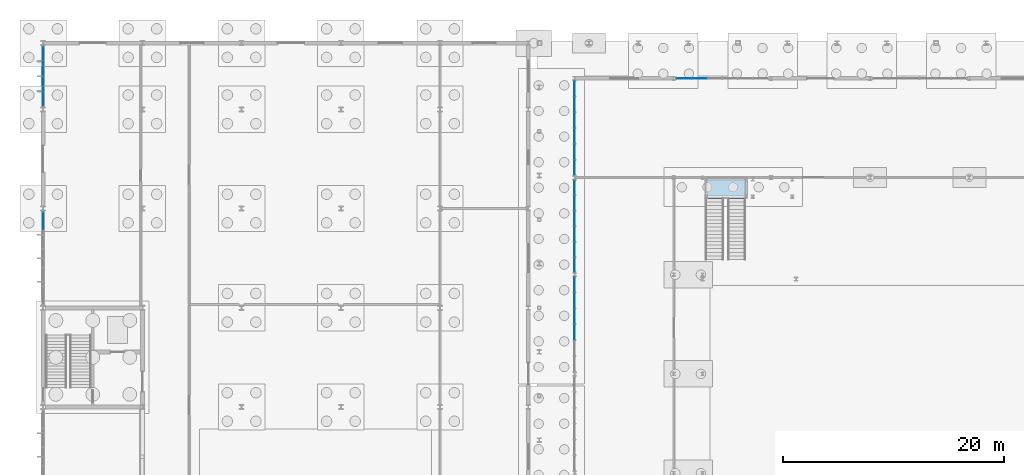
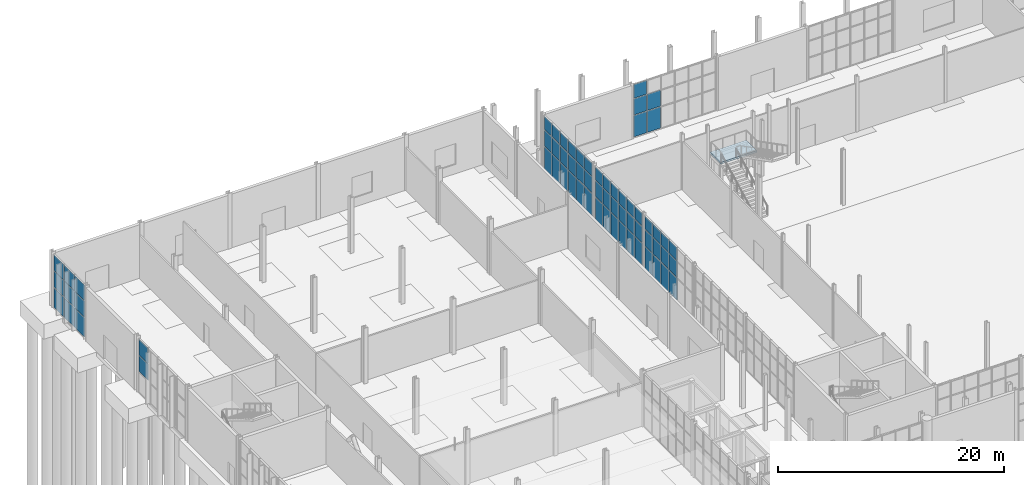
# One storey, part 82 of 131: 64 plates, 1 slab, 7 elements without a shape of their own.
"""IFC4 building model written with IfcOpenShell, lengths in metres."""

from ifc_helpers import new_model, si_unit, direction, frame, origin, origin_2d, place, context, subcontext, project, spatial, polyline, rectangle, outline, extrude, material, layer, layer_set, type_object, element, aggregate, save


model = new_model("IFC4")

# Units and contexts
model_context = context("Model", 3, precision=1e-05, world=origin(), true_north=direction((0.0, 1.0)))
body_context = subcontext(model_context, "Body", "Model", "MODEL_VIEW")
ifc_project = project(units=[si_unit("LENGTHUNIT", "METRE"), si_unit("AREAUNIT", "SQUARE_METRE"), si_unit("VOLUMEUNIT", "CUBIC_METRE"), si_unit("PLANEANGLEUNIT", "RADIAN"), si_unit("MASSUNIT", "GRAM", prefix="KILO")], contexts=[model_context])

# Site, building, storey
site_placement = place(None, origin())
site = spatial("IfcSite", under=ifc_project, at=site_placement, CompositionType="ELEMENT")
building_placement = place(site_placement, origin())
building = spatial("IfcBuilding", under=site, at=building_placement, Name="Cazmaro Siding Exhibition Halls", CompositionType="ELEMENT")
storey_placement = place(building_placement, origin())
storey = spatial("IfcBuildingStorey", under=building, at=storey_placement, Name="L00", CompositionType="ELEMENT", Elevation=0.0)

# Curtain wall, plates
ifc_material_1 = material(Name="Anodized Bronze Aluminum and Solar-Control Low-E Glazing", Category="aluminium")
ifc_layer_1 = layer(ifc_material_1, 0.179931640625)
ifc_layer_set_1 = layer_set([ifc_layer_1], Name="Anodized Bronze Aluminum and Solar-Control Low-E Glazing")
curtain_wall_type_1 = type_object("IfcCurtainWallType", Name="CWS-01", PredefinedType="USERDEFINED", material=ifc_layer_set_1)
curtain_wall_1_placement = place(storey_placement, origin())
curtain_wall_1 = element("IfcCurtainWall", 1, at=curtain_wall_1_placement, inside=storey, type_object=curtain_wall_type_1, Name="Glazed Curtain Wall CWS-01 CW-006", ObjectType="GLAZED CURTAIN WALL", PredefinedType="USERDEFINED")
ifc_material_2 = material(Name="Solar-Control Low-E Double Insulating Glass", Category="glass")
ifc_layer_2 = layer(ifc_material_2, 0.02392578125)
ifc_layer_set_2 = layer_set([ifc_layer_2], Name="Solar-Control Low-E Double Insulating Glass")
plate_type_1 = type_object("IfcPlateType", Name="CWP-01", PredefinedType="CURTAIN_PANEL", material=ifc_layer_set_2)
plate_1_placement = place(storey_placement, frame((59.49853515625, 120.800048828125, 0.06005859375), z_axis=(0.0, 0.0, 1.0), x_axis=(-1.0, 0.0, 0.0)))
plate_1 = element("IfcPlate", 2, at=plate_1_placement, type_object=plate_type_1, Name="CWS-01 panel 5.1", PredefinedType="CURTAIN_PANEL", context=body_context, shape_type="SweptSolid", body=[
    extrude(rectangle(XDim=1.341064453125, YDim=0.02392578125, at=origin_2d()), origin(), (0.0, 0.0, 1.0), 2.31005859375),
])
plate_2_placement = place(storey_placement, frame((59.49853515625, 120.800048828125, 2.43017578125), z_axis=(0.0, 0.0, 1.0), x_axis=(-1.0, 0.0, 0.0)))
plate_2 = element("IfcPlate", 3, at=plate_2_placement, type_object=plate_type_1, Name="CWS-01 panel 5.2", PredefinedType="CURTAIN_PANEL", context=body_context, shape_type="SweptSolid", body=[
    extrude(rectangle(XDim=1.341064453125, YDim=0.02392578125, at=origin_2d()), origin(), (0.0, 0.0, 1.0), 1.739990234375),
])
plate_3_placement = place(storey_placement, frame((58.112548828125, 120.800048828125, 0.06005859375), z_axis=(0.0, 0.0, 1.0), x_axis=(-1.0, 0.0, 0.0)))
plate_3 = element("IfcPlate", 4, at=plate_3_placement, type_object=plate_type_1, Name="CWS-01 panel 6.1", PredefinedType="CURTAIN_PANEL", context=body_context, shape_type="SweptSolid", body=[
    extrude(rectangle(XDim=1.31103515625, YDim=0.02392578125, at=origin_2d()), origin(), (0.0, 0.0, 1.0), 2.31005859375),
])
plate_4_placement = place(storey_placement, frame((58.112548828125, 120.800048828125, 2.43017578125), z_axis=(0.0, 0.0, 1.0), x_axis=(-1.0, 0.0, 0.0)))
plate_4 = element("IfcPlate", 5, at=plate_4_placement, type_object=plate_type_1, Name="CWS-01 panel 6.2", PredefinedType="CURTAIN_PANEL", context=body_context, shape_type="SweptSolid", body=[
    extrude(rectangle(XDim=1.31103515625, YDim=0.02392578125, at=origin_2d()), origin(), (0.0, 0.0, 1.0), 1.739990234375),
])
plate_5_placement = place(storey_placement, frame((58.112548828125, 120.800048828125, 4.22998046875), z_axis=(0.0, 0.0, 1.0), x_axis=(-1.0, 0.0, 0.0)))
plate_5 = element("IfcPlate", 6, at=plate_5_placement, type_object=plate_type_1, Name="CWS-01 panel 6.3", PredefinedType="CURTAIN_PANEL", context=body_context, shape_type="SweptSolid", body=[
    extrude(rectangle(XDim=1.31103515625, YDim=0.02392578125, at=origin_2d()), origin(), (0.0, 0.0, 1.0), 1.489990234375),
])
aggregate(curtain_wall_1, [plate_1, plate_2, plate_3, plate_4, plate_5])

ifc_material_3 = material(Name="Anodized Bronze Aluminum and Solar-Control Low-E Glazing", Category="aluminium")
ifc_layer_3 = layer(ifc_material_3, 0.199951171875)
ifc_layer_set_3 = layer_set([ifc_layer_3], Name="Anodized Bronze Aluminum and Solar-Control Low-E Glazing")
curtain_wall_type_2 = type_object("IfcCurtainWallType", Name="CWS-02", PredefinedType="USERDEFINED", material=ifc_layer_set_3)
curtain_wall_2_placement = place(storey_placement, origin())
curtain_wall_2 = element("IfcCurtainWall", 7, at=curtain_wall_2_placement, inside=storey, type_object=curtain_wall_type_2, Name="Glazed Curtain Wall CWS-02 CW-228", ObjectType="GLAZED CURTAIN WALL", PredefinedType="USERDEFINED")
ifc_material_4 = material(Name="Solar-Control Low-E Double Insulating Glass", Category="glass")
ifc_layer_4 = layer(ifc_material_4, 0.035888671875)
ifc_layer_set_4 = layer_set([ifc_layer_4], Name="Solar-Control Low-E Double Insulating Glass")
plate_type_2 = type_object("IfcPlateType", Name="CWP-02", PredefinedType="CURTAIN_PANEL", material=ifc_layer_set_4)
plate_6_placement = place(storey_placement, frame((0.0, 107.88134765625, 2.232421875), z_axis=(0.0, 0.0, 1.0), x_axis=(0.0, -1.0, 0.0)))
plate_6 = element("IfcPlate", 8, at=plate_6_placement, type_object=plate_type_2, Name="CWS-02 panel 1.2", PredefinedType="CURTAIN_PANEL", context=body_context, shape_type="SweptSolid", body=[
    extrude(rectangle(XDim=1.601318359375, YDim=0.035888671875, at=origin_2d()), origin(), (0.0, 0.0, 1.0), 1.735107421875),
])
plate_7_placement = place(storey_placement, frame((0.0, 107.88134765625, 4.032470703125), z_axis=(0.0, 0.0, 1.0), x_axis=(0.0, -1.0, 0.0)))
plate_7 = element("IfcPlate", 9, at=plate_7_placement, type_object=plate_type_2, Name="CWS-02 panel 1.3", PredefinedType="CURTAIN_PANEL", context=body_context, shape_type="SweptSolid", body=[
    extrude(rectangle(XDim=1.601318359375, YDim=0.035888671875, at=origin_2d()), origin(), (0.0, 0.0, 1.0), 1.6826171875),
])
aggregate(curtain_wall_2, [plate_6, plate_7])

curtain_wall_3_placement = place(storey_placement, origin())
curtain_wall_3 = element("IfcCurtainWall", 10, at=curtain_wall_3_placement, inside=storey, type_object=curtain_wall_type_2, Name="Glazed Curtain Wall CWS-02 CW-229", ObjectType="GLAZED CURTAIN WALL", PredefinedType="USERDEFINED")
plate_8_placement = place(storey_placement, frame((0.0, 122.815185546875, 0.06494140625), z_axis=(0.0, 0.0, 1.0), x_axis=(0.0, -1.0, 0.0)))
plate_8 = element("IfcPlate", 11, at=plate_8_placement, type_object=plate_type_2, Name="CWS-02 panel 1.1", PredefinedType="CURTAIN_PANEL", context=body_context, shape_type="SweptSolid", body=[
    extrude(rectangle(XDim=1.73388671875, YDim=0.035888671875, at=origin_2d()), origin(), (0.0, 0.0, 1.0), 2.1025390625),
])
plate_9_placement = place(storey_placement, frame((0.0, 122.815185546875, 2.232421875), z_axis=(0.0, 0.0, 1.0), x_axis=(0.0, -1.0, 0.0)))
plate_9 = element("IfcPlate", 12, at=plate_9_placement, type_object=plate_type_2, Name="CWS-02 panel 1.2", PredefinedType="CURTAIN_PANEL", context=body_context, shape_type="SweptSolid", body=[
    extrude(rectangle(XDim=1.73388671875, YDim=0.035888671875, at=origin_2d()), origin(), (0.0, 0.0, 1.0), 1.735107421875),
])
plate_10_placement = place(storey_placement, frame((0.0, 122.815185546875, 4.032470703125), z_axis=(0.0, 0.0, 1.0), x_axis=(0.0, -1.0, 0.0)))
plate_10 = element("IfcPlate", 13, at=plate_10_placement, type_object=plate_type_2, Name="CWS-02 panel 1.3", PredefinedType="CURTAIN_PANEL", context=body_context, shape_type="SweptSolid", body=[
    extrude(rectangle(XDim=1.73388671875, YDim=0.035888671875, at=origin_2d()), origin(), (0.0, 0.0, 1.0), 1.6826171875),
])
plate_11_placement = place(storey_placement, frame((0.0, 121.0, 0.06494140625), z_axis=(0.0, 0.0, 1.0), x_axis=(0.0, -1.0, 0.0)))
plate_11 = element("IfcPlate", 14, at=plate_11_placement, type_object=plate_type_2, Name="CWS-02 panel 2.1", PredefinedType="CURTAIN_PANEL", context=body_context, shape_type="SweptSolid", body=[
    extrude(rectangle(XDim=1.766357421875, YDim=0.035888671875, at=origin_2d()), origin(), (0.0, 0.0, 1.0), 2.1025390625),
])
plate_12_placement = place(storey_placement, frame((0.0, 121.0, 2.232421875), z_axis=(0.0, 0.0, 1.0), x_axis=(0.0, -1.0, 0.0)))
plate_12 = element("IfcPlate", 15, at=plate_12_placement, type_object=plate_type_2, Name="CWS-02 panel 2.2", PredefinedType="CURTAIN_PANEL", context=body_context, shape_type="SweptSolid", body=[
    extrude(rectangle(XDim=1.766357421875, YDim=0.035888671875, at=origin_2d()), origin(), (0.0, 0.0, 1.0), 1.735107421875),
])
plate_13_placement = place(storey_placement, frame((0.0, 121.0, 4.032470703125), z_axis=(0.0, 0.0, 1.0), x_axis=(0.0, -1.0, 0.0)))
plate_13 = element("IfcPlate", 16, at=plate_13_placement, type_object=plate_type_2, Name="CWS-02 panel 2.3", PredefinedType="CURTAIN_PANEL", context=body_context, shape_type="SweptSolid", body=[
    extrude(rectangle(XDim=1.766357421875, YDim=0.035888671875, at=origin_2d()), origin(), (0.0, 0.0, 1.0), 1.6826171875),
])
plate_14_placement = place(storey_placement, frame((0.0, 119.184814453125, 0.06494140625), z_axis=(0.0, 0.0, 1.0), x_axis=(0.0, -1.0, 0.0)))
plate_14 = element("IfcPlate", 17, at=plate_14_placement, type_object=plate_type_2, Name="CWS-02 panel 3.1", PredefinedType="CURTAIN_PANEL", context=body_context, shape_type="SweptSolid", body=[
    extrude(rectangle(XDim=1.73388671875, YDim=0.035888671875, at=origin_2d()), origin(), (0.0, 0.0, 1.0), 2.1025390625),
])
plate_15_placement = place(storey_placement, frame((0.0, 119.184814453125, 2.232421875), z_axis=(0.0, 0.0, 1.0), x_axis=(0.0, -1.0, 0.0)))
plate_15 = element("IfcPlate", 18, at=plate_15_placement, type_object=plate_type_2, Name="CWS-02 panel 3.2", PredefinedType="CURTAIN_PANEL", context=body_context, shape_type="SweptSolid", body=[
    extrude(rectangle(XDim=1.73388671875, YDim=0.035888671875, at=origin_2d()), origin(), (0.0, 0.0, 1.0), 1.735107421875),
])
plate_16_placement = place(storey_placement, frame((0.0, 119.184814453125, 4.032470703125), z_axis=(0.0, 0.0, 1.0), x_axis=(0.0, -1.0, 0.0)))
plate_16 = element("IfcPlate", 19, at=plate_16_placement, type_object=plate_type_2, Name="CWS-02 panel 3.3", PredefinedType="CURTAIN_PANEL", context=body_context, shape_type="SweptSolid", body=[
    extrude(rectangle(XDim=1.73388671875, YDim=0.035888671875, at=origin_2d()), origin(), (0.0, 0.0, 1.0), 1.6826171875),
])
aggregate(curtain_wall_3, [plate_8, plate_9, plate_10, plate_11, plate_12, plate_13, plate_14, plate_15, plate_16])

ifc_material_5 = material(Name="Anodized Bronze Aluminum and Solar-Control Low-E Glazing", Category="aluminium")
ifc_layer_5 = layer(ifc_material_5, 0.219970703125)
ifc_layer_set_5 = layer_set([ifc_layer_5], Name="Anodized Bronze Aluminum and Solar-Control Low-E Glazing")
curtain_wall_type_3 = type_object("IfcCurtainWallType", Name="CWS-03", PredefinedType="USERDEFINED", material=ifc_layer_set_5)
curtain_wall_4_placement = place(storey_placement, origin())
curtain_wall_4 = element("IfcCurtainWall", 20, at=curtain_wall_4_placement, inside=storey, type_object=curtain_wall_type_3, Name="Glazed Curtain Wall CWS-03 CW-056", ObjectType="GLAZED CURTAIN WALL", PredefinedType="USERDEFINED")
ifc_material_6 = material(Name="Solar-Control Low-E Double Insulating Glass", Category="glass")
ifc_layer_6 = layer(ifc_material_6, 0.0458984375)
ifc_layer_set_6 = layer_set([ifc_layer_6], Name="Solar-Control Low-E Double Insulating Glass")
plate_type_3 = type_object("IfcPlateType", Name="CWP-03", PredefinedType="CURTAIN_PANEL", material=ifc_layer_set_6)
plate_17_placement = place(storey_placement, frame((48.199951171875, 102.0849609375, 0.070068359375), z_axis=(0.0, 0.0, 1.0), x_axis=(0.0, -1.0, 0.0)))
plate_17 = element("IfcPlate", 21, at=plate_17_placement, type_object=plate_type_3, Name="CWS-03 panel 1.1", PredefinedType="CURTAIN_PANEL", context=body_context, shape_type="SweptSolid", body=[
    extrude(rectangle(XDim=1.3359375, YDim=0.0458984375, at=origin_2d()), origin(), (0.0, 0.0, 1.0), 2.39501953125),
])
plate_18_placement = place(storey_placement, frame((48.199951171875, 102.0849609375, 2.534912109375), z_axis=(0.0, 0.0, 1.0), x_axis=(0.0, -1.0, 0.0)))
plate_18 = element("IfcPlate", 22, at=plate_18_placement, type_object=plate_type_3, Name="CWS-03 panel 1.2", PredefinedType="CURTAIN_PANEL", context=body_context, shape_type="SweptSolid", body=[
    extrude(rectangle(XDim=1.3359375, YDim=0.0458984375, at=origin_2d()), origin(), (0.0, 0.0, 1.0), 1.72998046875),
])
plate_19_placement = place(storey_placement, frame((48.199951171875, 102.0849609375, 4.3349609375), z_axis=(0.0, 0.0, 1.0), x_axis=(0.0, -1.0, 0.0)))
plate_19 = element("IfcPlate", 23, at=plate_19_placement, type_object=plate_type_3, Name="CWS-03 panel 1.3", PredefinedType="CURTAIN_PANEL", context=body_context, shape_type="SweptSolid", body=[
    extrude(rectangle(XDim=1.3359375, YDim=0.0458984375, at=origin_2d()), origin(), (0.0, 0.0, 1.0), 1.375),
])
plate_20_placement = place(storey_placement, frame((48.199951171875, 100.66162109375, 0.070068359375), z_axis=(0.0, 0.0, 1.0), x_axis=(0.0, -1.0, 0.0)))
plate_20 = element("IfcPlate", 24, at=plate_20_placement, type_object=plate_type_3, Name="CWS-03 panel 2.1", PredefinedType="CURTAIN_PANEL", context=body_context, shape_type="SweptSolid", body=[
    extrude(rectangle(XDim=1.37109375, YDim=0.0458984375, at=origin_2d()), origin(), (0.0, 0.0, 1.0), 2.39501953125),
])
plate_21_placement = place(storey_placement, frame((48.199951171875, 100.66162109375, 2.534912109375), z_axis=(0.0, 0.0, 1.0), x_axis=(0.0, -1.0, 0.0)))
plate_21 = element("IfcPlate", 25, at=plate_21_placement, type_object=plate_type_3, Name="CWS-03 panel 2.2", PredefinedType="CURTAIN_PANEL", context=body_context, shape_type="SweptSolid", body=[
    extrude(rectangle(XDim=1.37109375, YDim=0.0458984375, at=origin_2d()), origin(), (0.0, 0.0, 1.0), 1.72998046875),
])
plate_22_placement = place(storey_placement, frame((48.199951171875, 100.66162109375, 4.3349609375), z_axis=(0.0, 0.0, 1.0), x_axis=(0.0, -1.0, 0.0)))
plate_22 = element("IfcPlate", 26, at=plate_22_placement, type_object=plate_type_3, Name="CWS-03 panel 2.3", PredefinedType="CURTAIN_PANEL", context=body_context, shape_type="SweptSolid", body=[
    extrude(rectangle(XDim=1.37109375, YDim=0.0458984375, at=origin_2d()), origin(), (0.0, 0.0, 1.0), 1.375),
])
plate_23_placement = place(storey_placement, frame((48.199951171875, 99.220458984375, 0.070068359375), z_axis=(0.0, 0.0, 1.0), x_axis=(0.0, -1.0, 0.0)))
plate_23 = element("IfcPlate", 27, at=plate_23_placement, type_object=plate_type_3, Name="CWS-03 panel 3.1", PredefinedType="CURTAIN_PANEL", context=body_context, shape_type="SweptSolid", body=[
    extrude(rectangle(XDim=1.37109375, YDim=0.0458984375, at=origin_2d()), origin(), (0.0, 0.0, 1.0), 2.39501953125),
])
plate_24_placement = place(storey_placement, frame((48.199951171875, 99.220458984375, 2.534912109375), z_axis=(0.0, 0.0, 1.0), x_axis=(0.0, -1.0, 0.0)))
plate_24 = element("IfcPlate", 28, at=plate_24_placement, type_object=plate_type_3, Name="CWS-03 panel 3.2", PredefinedType="CURTAIN_PANEL", context=body_context, shape_type="SweptSolid", body=[
    extrude(rectangle(XDim=1.37109375, YDim=0.0458984375, at=origin_2d()), origin(), (0.0, 0.0, 1.0), 1.72998046875),
])
plate_25_placement = place(storey_placement, frame((48.199951171875, 99.220458984375, 4.3349609375), z_axis=(0.0, 0.0, 1.0), x_axis=(0.0, -1.0, 0.0)))
plate_25 = element("IfcPlate", 29, at=plate_25_placement, type_object=plate_type_3, Name="CWS-03 panel 3.3", PredefinedType="CURTAIN_PANEL", context=body_context, shape_type="SweptSolid", body=[
    extrude(rectangle(XDim=1.37109375, YDim=0.0458984375, at=origin_2d()), origin(), (0.0, 0.0, 1.0), 1.375),
])
plate_26_placement = place(storey_placement, frame((48.199951171875, 97.779541015625, 0.070068359375), z_axis=(0.0, 0.0, 1.0), x_axis=(0.0, -1.0, 0.0)))
plate_26 = element("IfcPlate", 30, at=plate_26_placement, type_object=plate_type_3, Name="CWS-03 panel 4.1", PredefinedType="CURTAIN_PANEL", context=body_context, shape_type="SweptSolid", body=[
    extrude(rectangle(XDim=1.37109375, YDim=0.0458984375, at=origin_2d()), origin(), (0.0, 0.0, 1.0), 2.39501953125),
])
plate_27_placement = place(storey_placement, frame((48.199951171875, 97.779541015625, 2.534912109375), z_axis=(0.0, 0.0, 1.0), x_axis=(0.0, -1.0, 0.0)))
plate_27 = element("IfcPlate", 31, at=plate_27_placement, type_object=plate_type_3, Name="CWS-03 panel 4.2", PredefinedType="CURTAIN_PANEL", context=body_context, shape_type="SweptSolid", body=[
    extrude(rectangle(XDim=1.37109375, YDim=0.0458984375, at=origin_2d()), origin(), (0.0, 0.0, 1.0), 1.72998046875),
])
plate_28_placement = place(storey_placement, frame((48.199951171875, 97.779541015625, 4.3349609375), z_axis=(0.0, 0.0, 1.0), x_axis=(0.0, -1.0, 0.0)))
plate_28 = element("IfcPlate", 32, at=plate_28_placement, type_object=plate_type_3, Name="CWS-03 panel 4.3", PredefinedType="CURTAIN_PANEL", context=body_context, shape_type="SweptSolid", body=[
    extrude(rectangle(XDim=1.37109375, YDim=0.0458984375, at=origin_2d()), origin(), (0.0, 0.0, 1.0), 1.375),
])
aggregate(curtain_wall_4, [plate_17, plate_18, plate_19, plate_20, plate_21, plate_22, plate_23, plate_24, plate_25, plate_26, plate_27, plate_28])

curtain_wall_5_placement = place(storey_placement, origin())
curtain_wall_5 = element("IfcCurtainWall", 33, at=curtain_wall_5_placement, inside=storey, type_object=curtain_wall_type_3, Name="Glazed Curtain Wall CWS-03 CW-059", ObjectType="GLAZED CURTAIN WALL", PredefinedType="USERDEFINED")
plate_29_placement = place(storey_placement, frame((48.199951171875, 110.88232421875, 0.070068359375), z_axis=(0.0, 0.0, 1.0), x_axis=(0.0, -1.0, 0.0)))
plate_29 = element("IfcPlate", 34, at=plate_29_placement, type_object=plate_type_3, Name="CWS-03 panel 1.1", PredefinedType="CURTAIN_PANEL", context=body_context, shape_type="SweptSolid", body=[
    extrude(rectangle(XDim=1.299072265625, YDim=0.0458984375, at=origin_2d()), origin(), (0.0, 0.0, 1.0), 2.39501953125),
])
plate_30_placement = place(storey_placement, frame((48.199951171875, 110.88232421875, 2.534912109375), z_axis=(0.0, 0.0, 1.0), x_axis=(0.0, -1.0, 0.0)))
plate_30 = element("IfcPlate", 35, at=plate_30_placement, type_object=plate_type_3, Name="CWS-03 panel 1.2", PredefinedType="CURTAIN_PANEL", context=body_context, shape_type="SweptSolid", body=[
    extrude(rectangle(XDim=1.299072265625, YDim=0.0458984375, at=origin_2d()), origin(), (0.0, 0.0, 1.0), 1.72998046875),
])
plate_31_placement = place(storey_placement, frame((48.199951171875, 110.88232421875, 4.3349609375), z_axis=(0.0, 0.0, 1.0), x_axis=(0.0, -1.0, 0.0)))
plate_31 = element("IfcPlate", 36, at=plate_31_placement, type_object=plate_type_3, Name="CWS-03 panel 1.3", PredefinedType="CURTAIN_PANEL", context=body_context, shape_type="SweptSolid", body=[
    extrude(rectangle(XDim=1.299072265625, YDim=0.0458984375, at=origin_2d()), origin(), (0.0, 0.0, 1.0), 1.375),
])
plate_32_placement = place(storey_placement, frame((48.199951171875, 109.495849609375, 0.070068359375), z_axis=(0.0, 0.0, 1.0), x_axis=(0.0, -1.0, 0.0)))
plate_32 = element("IfcPlate", 37, at=plate_32_placement, type_object=plate_type_3, Name="CWS-03 panel 2.1", PredefinedType="CURTAIN_PANEL", context=body_context, shape_type="SweptSolid", body=[
    extrude(rectangle(XDim=1.334228515625, YDim=0.0458984375, at=origin_2d()), origin(), (0.0, 0.0, 1.0), 2.39501953125),
])
plate_33_placement = place(storey_placement, frame((48.199951171875, 109.495849609375, 2.534912109375), z_axis=(0.0, 0.0, 1.0), x_axis=(0.0, -1.0, 0.0)))
plate_33 = element("IfcPlate", 38, at=plate_33_placement, type_object=plate_type_3, Name="CWS-03 panel 2.2", PredefinedType="CURTAIN_PANEL", context=body_context, shape_type="SweptSolid", body=[
    extrude(rectangle(XDim=1.334228515625, YDim=0.0458984375, at=origin_2d()), origin(), (0.0, 0.0, 1.0), 1.72998046875),
])
plate_34_placement = place(storey_placement, frame((48.199951171875, 109.495849609375, 4.3349609375), z_axis=(0.0, 0.0, 1.0), x_axis=(0.0, -1.0, 0.0)))
plate_34 = element("IfcPlate", 39, at=plate_34_placement, type_object=plate_type_3, Name="CWS-03 panel 2.3", PredefinedType="CURTAIN_PANEL", context=body_context, shape_type="SweptSolid", body=[
    extrude(rectangle(XDim=1.334228515625, YDim=0.0458984375, at=origin_2d()), origin(), (0.0, 0.0, 1.0), 1.375),
])
plate_35_placement = place(storey_placement, frame((48.199951171875, 108.091552734375, 0.070068359375), z_axis=(0.0, 0.0, 1.0), x_axis=(0.0, -1.0, 0.0)))
plate_35 = element("IfcPlate", 40, at=plate_35_placement, type_object=plate_type_3, Name="CWS-03 panel 3.1", PredefinedType="CURTAIN_PANEL", context=body_context, shape_type="SweptSolid", body=[
    extrude(rectangle(XDim=1.334228515625, YDim=0.0458984375, at=origin_2d()), origin(), (0.0, 0.0, 1.0), 2.39501953125),
])
plate_36_placement = place(storey_placement, frame((48.199951171875, 108.091552734375, 2.534912109375), z_axis=(0.0, 0.0, 1.0), x_axis=(0.0, -1.0, 0.0)))
plate_36 = element("IfcPlate", 41, at=plate_36_placement, type_object=plate_type_3, Name="CWS-03 panel 3.2", PredefinedType="CURTAIN_PANEL", context=body_context, shape_type="SweptSolid", body=[
    extrude(rectangle(XDim=1.334228515625, YDim=0.0458984375, at=origin_2d()), origin(), (0.0, 0.0, 1.0), 1.72998046875),
])
plate_37_placement = place(storey_placement, frame((48.199951171875, 108.091552734375, 4.3349609375), z_axis=(0.0, 0.0, 1.0), x_axis=(0.0, -1.0, 0.0)))
plate_37 = element("IfcPlate", 42, at=plate_37_placement, type_object=plate_type_3, Name="CWS-03 panel 3.3", PredefinedType="CURTAIN_PANEL", context=body_context, shape_type="SweptSolid", body=[
    extrude(rectangle(XDim=1.334228515625, YDim=0.0458984375, at=origin_2d()), origin(), (0.0, 0.0, 1.0), 1.375),
])
plate_38_placement = place(storey_placement, frame((48.199951171875, 106.6875, 0.070068359375), z_axis=(0.0, 0.0, 1.0), x_axis=(0.0, -1.0, 0.0)))
plate_38 = element("IfcPlate", 43, at=plate_38_placement, type_object=plate_type_3, Name="CWS-03 panel 4.1", PredefinedType="CURTAIN_PANEL", context=body_context, shape_type="SweptSolid", body=[
    extrude(rectangle(XDim=1.334228515625, YDim=0.0458984375, at=origin_2d()), origin(), (0.0, 0.0, 1.0), 2.39501953125),
])
plate_39_placement = place(storey_placement, frame((48.199951171875, 106.6875, 2.534912109375), z_axis=(0.0, 0.0, 1.0), x_axis=(0.0, -1.0, 0.0)))
plate_39 = element("IfcPlate", 44, at=plate_39_placement, type_object=plate_type_3, Name="CWS-03 panel 4.2", PredefinedType="CURTAIN_PANEL", context=body_context, shape_type="SweptSolid", body=[
    extrude(rectangle(XDim=1.334228515625, YDim=0.0458984375, at=origin_2d()), origin(), (0.0, 0.0, 1.0), 1.72998046875),
])
plate_40_placement = place(storey_placement, frame((48.199951171875, 106.6875, 4.3349609375), z_axis=(0.0, 0.0, 1.0), x_axis=(0.0, -1.0, 0.0)))
plate_40 = element("IfcPlate", 45, at=plate_40_placement, type_object=plate_type_3, Name="CWS-03 panel 4.3", PredefinedType="CURTAIN_PANEL", context=body_context, shape_type="SweptSolid", body=[
    extrude(rectangle(XDim=1.334228515625, YDim=0.0458984375, at=origin_2d()), origin(), (0.0, 0.0, 1.0), 1.375),
])
plate_41_placement = place(storey_placement, frame((48.199951171875, 105.283203125, 0.070068359375), z_axis=(0.0, 0.0, 1.0), x_axis=(0.0, -1.0, 0.0)))
plate_41 = element("IfcPlate", 46, at=plate_41_placement, type_object=plate_type_3, Name="CWS-03 panel 5.1", PredefinedType="CURTAIN_PANEL", context=body_context, shape_type="SweptSolid", body=[
    extrude(rectangle(XDim=1.334228515625, YDim=0.0458984375, at=origin_2d()), origin(), (0.0, 0.0, 1.0), 2.39501953125),
])
plate_42_placement = place(storey_placement, frame((48.199951171875, 105.283203125, 2.534912109375), z_axis=(0.0, 0.0, 1.0), x_axis=(0.0, -1.0, 0.0)))
plate_42 = element("IfcPlate", 47, at=plate_42_placement, type_object=plate_type_3, Name="CWS-03 panel 5.2", PredefinedType="CURTAIN_PANEL", context=body_context, shape_type="SweptSolid", body=[
    extrude(rectangle(XDim=1.334228515625, YDim=0.0458984375, at=origin_2d()), origin(), (0.0, 0.0, 1.0), 1.72998046875),
])
plate_43_placement = place(storey_placement, frame((48.199951171875, 105.283203125, 4.3349609375), z_axis=(0.0, 0.0, 1.0), x_axis=(0.0, -1.0, 0.0)))
plate_43 = element("IfcPlate", 48, at=plate_43_placement, type_object=plate_type_3, Name="CWS-03 panel 5.3", PredefinedType="CURTAIN_PANEL", context=body_context, shape_type="SweptSolid", body=[
    extrude(rectangle(XDim=1.334228515625, YDim=0.0458984375, at=origin_2d()), origin(), (0.0, 0.0, 1.0), 1.375),
])
plate_44_placement = place(storey_placement, frame((48.199951171875, 103.896484375, 0.070068359375), z_axis=(0.0, 0.0, 1.0), x_axis=(0.0, -1.0, 0.0)))
plate_44 = element("IfcPlate", 49, at=plate_44_placement, type_object=plate_type_3, Name="CWS-03 panel 6.1", PredefinedType="CURTAIN_PANEL", context=body_context, shape_type="SweptSolid", body=[
    extrude(rectangle(XDim=1.299072265625, YDim=0.0458984375, at=origin_2d()), origin(), (0.0, 0.0, 1.0), 2.39501953125),
])
plate_45_placement = place(storey_placement, frame((48.199951171875, 103.896484375, 2.534912109375), z_axis=(0.0, 0.0, 1.0), x_axis=(0.0, -1.0, 0.0)))
plate_45 = element("IfcPlate", 50, at=plate_45_placement, type_object=plate_type_3, Name="CWS-03 panel 6.2", PredefinedType="CURTAIN_PANEL", context=body_context, shape_type="SweptSolid", body=[
    extrude(rectangle(XDim=1.299072265625, YDim=0.0458984375, at=origin_2d()), origin(), (0.0, 0.0, 1.0), 1.72998046875),
])
plate_46_placement = place(storey_placement, frame((48.199951171875, 103.896484375, 4.3349609375), z_axis=(0.0, 0.0, 1.0), x_axis=(0.0, -1.0, 0.0)))
plate_46 = element("IfcPlate", 51, at=plate_46_placement, type_object=plate_type_3, Name="CWS-03 panel 6.3", PredefinedType="CURTAIN_PANEL", context=body_context, shape_type="SweptSolid", body=[
    extrude(rectangle(XDim=1.299072265625, YDim=0.0458984375, at=origin_2d()), origin(), (0.0, 0.0, 1.0), 1.375),
])
aggregate(curtain_wall_5, [plate_29, plate_30, plate_31, plate_32, plate_33, plate_34, plate_35, plate_36, plate_37, plate_38, plate_39, plate_40, plate_41, plate_42, plate_43, plate_44, plate_45, plate_46])

curtain_wall_6_placement = place(storey_placement, origin())
curtain_wall_6 = element("IfcCurtainWall", 52, at=curtain_wall_6_placement, inside=storey, type_object=curtain_wall_type_3, Name="Glazed Curtain Wall CWS-03 CW-062", ObjectType="GLAZED CURTAIN WALL", PredefinedType="USERDEFINED")
plate_47_placement = place(storey_placement, frame((48.199951171875, 119.867431640625, 0.070068359375), z_axis=(0.0, 0.0, 1.0), x_axis=(0.0, -1.0, 0.0)))
plate_47 = element("IfcPlate", 53, at=plate_47_placement, type_object=plate_type_3, Name="CWS-03 panel 1.1", PredefinedType="CURTAIN_PANEL", context=body_context, shape_type="SweptSolid", body=[
    extrude(rectangle(XDim=1.3291015625, YDim=0.0458984375, at=origin_2d()), origin(), (0.0, 0.0, 1.0), 2.39501953125),
])
plate_48_placement = place(storey_placement, frame((48.199951171875, 119.867431640625, 2.534912109375), z_axis=(0.0, 0.0, 1.0), x_axis=(0.0, -1.0, 0.0)))
plate_48 = element("IfcPlate", 54, at=plate_48_placement, type_object=plate_type_3, Name="CWS-03 panel 1.2", PredefinedType="CURTAIN_PANEL", context=body_context, shape_type="SweptSolid", body=[
    extrude(rectangle(XDim=1.3291015625, YDim=0.0458984375, at=origin_2d()), origin(), (0.0, 0.0, 1.0), 1.72998046875),
])
plate_49_placement = place(storey_placement, frame((48.199951171875, 119.867431640625, 4.3349609375), z_axis=(0.0, 0.0, 1.0), x_axis=(0.0, -1.0, 0.0)))
plate_49 = element("IfcPlate", 55, at=plate_49_placement, type_object=plate_type_3, Name="CWS-03 panel 1.3", PredefinedType="CURTAIN_PANEL", context=body_context, shape_type="SweptSolid", body=[
    extrude(rectangle(XDim=1.3291015625, YDim=0.0458984375, at=origin_2d()), origin(), (0.0, 0.0, 1.0), 1.375),
])
plate_50_placement = place(storey_placement, frame((48.199951171875, 118.450927734375, 0.070068359375), z_axis=(0.0, 0.0, 1.0), x_axis=(0.0, -1.0, 0.0)))
plate_50 = element("IfcPlate", 56, at=plate_50_placement, type_object=plate_type_3, Name="CWS-03 panel 2.1", PredefinedType="CURTAIN_PANEL", context=body_context, shape_type="SweptSolid", body=[
    extrude(rectangle(XDim=1.364013671875, YDim=0.0458984375, at=origin_2d()), origin(), (0.0, 0.0, 1.0), 2.39501953125),
])
plate_51_placement = place(storey_placement, frame((48.199951171875, 118.450927734375, 2.534912109375), z_axis=(0.0, 0.0, 1.0), x_axis=(0.0, -1.0, 0.0)))
plate_51 = element("IfcPlate", 57, at=plate_51_placement, type_object=plate_type_3, Name="CWS-03 panel 2.2", PredefinedType="CURTAIN_PANEL", context=body_context, shape_type="SweptSolid", body=[
    extrude(rectangle(XDim=1.364013671875, YDim=0.0458984375, at=origin_2d()), origin(), (0.0, 0.0, 1.0), 1.72998046875),
])
plate_52_placement = place(storey_placement, frame((48.199951171875, 118.450927734375, 4.3349609375), z_axis=(0.0, 0.0, 1.0), x_axis=(0.0, -1.0, 0.0)))
plate_52 = element("IfcPlate", 58, at=plate_52_placement, type_object=plate_type_3, Name="CWS-03 panel 2.3", PredefinedType="CURTAIN_PANEL", context=body_context, shape_type="SweptSolid", body=[
    extrude(rectangle(XDim=1.364013671875, YDim=0.0458984375, at=origin_2d()), origin(), (0.0, 0.0, 1.0), 1.375),
])
plate_53_placement = place(storey_placement, frame((48.199951171875, 117.01708984375, 0.070068359375), z_axis=(0.0, 0.0, 1.0), x_axis=(0.0, -1.0, 0.0)))
plate_53 = element("IfcPlate", 59, at=plate_53_placement, type_object=plate_type_3, Name="CWS-03 panel 3.1", PredefinedType="CURTAIN_PANEL", context=body_context, shape_type="SweptSolid", body=[
    extrude(rectangle(XDim=1.364013671875, YDim=0.0458984375, at=origin_2d()), origin(), (0.0, 0.0, 1.0), 2.39501953125),
])
plate_54_placement = place(storey_placement, frame((48.199951171875, 117.01708984375, 2.534912109375), z_axis=(0.0, 0.0, 1.0), x_axis=(0.0, -1.0, 0.0)))
plate_54 = element("IfcPlate", 60, at=plate_54_placement, type_object=plate_type_3, Name="CWS-03 panel 3.2", PredefinedType="CURTAIN_PANEL", context=body_context, shape_type="SweptSolid", body=[
    extrude(rectangle(XDim=1.364013671875, YDim=0.0458984375, at=origin_2d()), origin(), (0.0, 0.0, 1.0), 1.72998046875),
])
plate_55_placement = place(storey_placement, frame((48.199951171875, 117.01708984375, 4.3349609375), z_axis=(0.0, 0.0, 1.0), x_axis=(0.0, -1.0, 0.0)))
plate_55 = element("IfcPlate", 61, at=plate_55_placement, type_object=plate_type_3, Name="CWS-03 panel 3.3", PredefinedType="CURTAIN_PANEL", context=body_context, shape_type="SweptSolid", body=[
    extrude(rectangle(XDim=1.364013671875, YDim=0.0458984375, at=origin_2d()), origin(), (0.0, 0.0, 1.0), 1.375),
])
plate_56_placement = place(storey_placement, frame((48.199951171875, 115.5830078125, 0.070068359375), z_axis=(0.0, 0.0, 1.0), x_axis=(0.0, -1.0, 0.0)))
plate_56 = element("IfcPlate", 62, at=plate_56_placement, type_object=plate_type_3, Name="CWS-03 panel 4.1", PredefinedType="CURTAIN_PANEL", context=body_context, shape_type="SweptSolid", body=[
    extrude(rectangle(XDim=1.364013671875, YDim=0.0458984375, at=origin_2d()), origin(), (0.0, 0.0, 1.0), 2.39501953125),
])
plate_57_placement = place(storey_placement, frame((48.199951171875, 115.5830078125, 2.534912109375), z_axis=(0.0, 0.0, 1.0), x_axis=(0.0, -1.0, 0.0)))
plate_57 = element("IfcPlate", 63, at=plate_57_placement, type_object=plate_type_3, Name="CWS-03 panel 4.2", PredefinedType="CURTAIN_PANEL", context=body_context, shape_type="SweptSolid", body=[
    extrude(rectangle(XDim=1.364013671875, YDim=0.0458984375, at=origin_2d()), origin(), (0.0, 0.0, 1.0), 1.72998046875),
])
plate_58_placement = place(storey_placement, frame((48.199951171875, 115.5830078125, 4.3349609375), z_axis=(0.0, 0.0, 1.0), x_axis=(0.0, -1.0, 0.0)))
plate_58 = element("IfcPlate", 64, at=plate_58_placement, type_object=plate_type_3, Name="CWS-03 panel 4.3", PredefinedType="CURTAIN_PANEL", context=body_context, shape_type="SweptSolid", body=[
    extrude(rectangle(XDim=1.364013671875, YDim=0.0458984375, at=origin_2d()), origin(), (0.0, 0.0, 1.0), 1.375),
])
plate_59_placement = place(storey_placement, frame((48.199951171875, 114.14892578125, 0.070068359375), z_axis=(0.0, 0.0, 1.0), x_axis=(0.0, -1.0, 0.0)))
plate_59 = element("IfcPlate", 65, at=plate_59_placement, type_object=plate_type_3, Name="CWS-03 panel 5.1", PredefinedType="CURTAIN_PANEL", context=body_context, shape_type="SweptSolid", body=[
    extrude(rectangle(XDim=1.364013671875, YDim=0.0458984375, at=origin_2d()), origin(), (0.0, 0.0, 1.0), 2.39501953125),
])
plate_60_placement = place(storey_placement, frame((48.199951171875, 114.14892578125, 2.534912109375), z_axis=(0.0, 0.0, 1.0), x_axis=(0.0, -1.0, 0.0)))
plate_60 = element("IfcPlate", 66, at=plate_60_placement, type_object=plate_type_3, Name="CWS-03 panel 5.2", PredefinedType="CURTAIN_PANEL", context=body_context, shape_type="SweptSolid", body=[
    extrude(rectangle(XDim=1.364013671875, YDim=0.0458984375, at=origin_2d()), origin(), (0.0, 0.0, 1.0), 1.72998046875),
])
plate_61_placement = place(storey_placement, frame((48.199951171875, 114.14892578125, 4.3349609375), z_axis=(0.0, 0.0, 1.0), x_axis=(0.0, -1.0, 0.0)))
plate_61 = element("IfcPlate", 67, at=plate_61_placement, type_object=plate_type_3, Name="CWS-03 panel 5.3", PredefinedType="CURTAIN_PANEL", context=body_context, shape_type="SweptSolid", body=[
    extrude(rectangle(XDim=1.364013671875, YDim=0.0458984375, at=origin_2d()), origin(), (0.0, 0.0, 1.0), 1.375),
])
plate_62_placement = place(storey_placement, frame((48.199951171875, 112.732421875, 0.070068359375), z_axis=(0.0, 0.0, 1.0), x_axis=(0.0, -1.0, 0.0)))
plate_62 = element("IfcPlate", 68, at=plate_62_placement, type_object=plate_type_3, Name="CWS-03 panel 6.1", PredefinedType="CURTAIN_PANEL", context=body_context, shape_type="SweptSolid", body=[
    extrude(rectangle(XDim=1.3291015625, YDim=0.0458984375, at=origin_2d()), origin(), (0.0, 0.0, 1.0), 2.39501953125),
])
plate_63_placement = place(storey_placement, frame((48.199951171875, 112.732421875, 2.534912109375), z_axis=(0.0, 0.0, 1.0), x_axis=(0.0, -1.0, 0.0)))
plate_63 = element("IfcPlate", 69, at=plate_63_placement, type_object=plate_type_3, Name="CWS-03 panel 6.2", PredefinedType="CURTAIN_PANEL", context=body_context, shape_type="SweptSolid", body=[
    extrude(rectangle(XDim=1.3291015625, YDim=0.0458984375, at=origin_2d()), origin(), (0.0, 0.0, 1.0), 1.72998046875),
])
plate_64_placement = place(storey_placement, frame((48.199951171875, 112.732421875, 4.3349609375), z_axis=(0.0, 0.0, 1.0), x_axis=(0.0, -1.0, 0.0)))
plate_64 = element("IfcPlate", 70, at=plate_64_placement, type_object=plate_type_3, Name="CWS-03 panel 6.3", PredefinedType="CURTAIN_PANEL", context=body_context, shape_type="SweptSolid", body=[
    extrude(rectangle(XDim=1.3291015625, YDim=0.0458984375, at=origin_2d()), origin(), (0.0, 0.0, 1.0), 1.375),
])
aggregate(curtain_wall_6, [plate_47, plate_48, plate_49, plate_50, plate_51, plate_52, plate_53, plate_54, plate_55, plate_56, plate_57, plate_58, plate_59, plate_60, plate_61, plate_62, plate_63, plate_64])

# Stair, slab
ifc_material_7 = material(Name="Steel ASTM A992 Grade 50 Stringers with Precast Treads", Category="concrete")
stair_type = type_object("IfcStairType", Name="STT-22", PredefinedType="TWO_STRAIGHT_RUN_STAIR", material=ifc_material_7)
stair_placement = place(storey_placement, origin())
stair = element("IfcStair", 71, at=stair_placement, inside=storey, type_object=stair_type, Name="Hall A West Feature Gallery Stair L00-L01 ST-22", PredefinedType="TWO_STRAIGHT_RUN_STAIR")
ifc_material_8 = material(Name="Concrete f'c 40 MPa", Category="concrete")
ifc_layer_7 = layer(ifc_material_8, 0.199951171875)
ifc_layer_set_7 = layer_set([ifc_layer_7], Name="Concrete f'c 40 MPa")
slab_type = type_object("IfcSlabType", Name="LND-22", PredefinedType="LANDING", material=ifc_layer_set_7)
slab_placement = place(storey_placement, frame((0.0, 0.0, 2.800048828125)))
slab = element("IfcSlab", 72, at=slab_placement, type_object=slab_type, Name="ST-22 landing 1", PredefinedType="LANDING", context=body_context, shape_type="SweptSolid", body=[
    extrude(outline(polyline([(60.050048828125, 109.89990234375), (63.72998046875, 109.89990234375), (63.72998046875, 111.780029296875), (60.050048828125, 111.780029296875), (60.050048828125, 109.89990234375)])), origin(), (0.0, 0.0, 1.0), 0.199951171875),
])
aggregate(stair, [slab])

save(model, "model.ifc")
